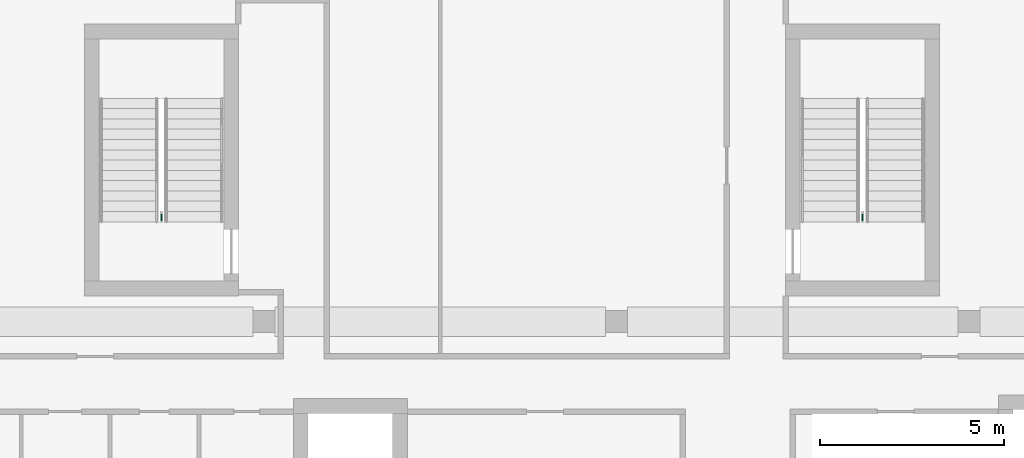
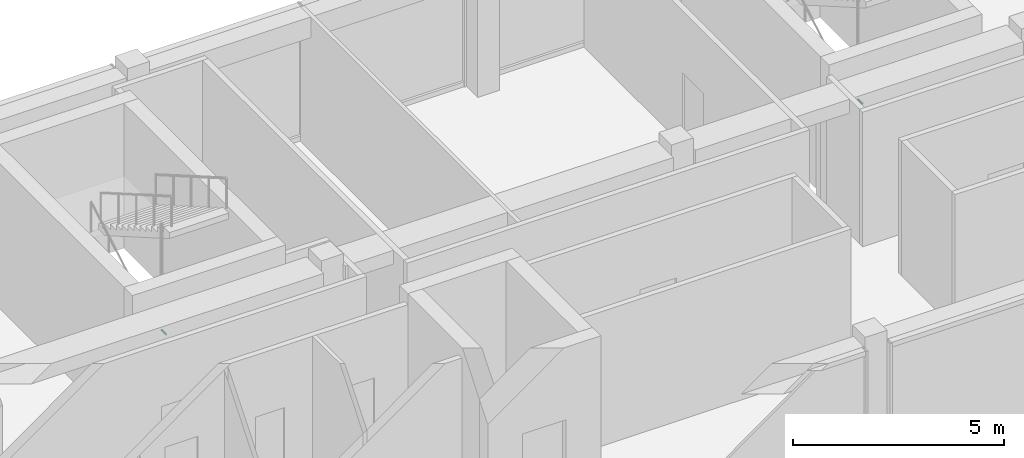
# One storey, part 28 of 28: 2 pipe fittings.
"""IFC4 building model written with IfcOpenShell, lengths in metres."""

from ifc_helpers import new_model, si_unit, direction, frame, origin, origin_2d, place, context, subcontext, project, spatial, circle, extrude, element, save


model = new_model("IFC4")

# Units and contexts
model_context = context("Model", 3, precision=1e-05, world=origin(), true_north=direction((0.0, 1.0)))
body_context = subcontext(model_context, "Body", "Model", "MODEL_VIEW")
ifc_project = project(units=[si_unit("LENGTHUNIT", "METRE"), si_unit("AREAUNIT", "SQUARE_METRE"), si_unit("VOLUMEUNIT", "CUBIC_METRE"), si_unit("PLANEANGLEUNIT", "RADIAN"), si_unit("MASSUNIT", "GRAM", prefix="KILO")], contexts=[model_context])

# Site, building, storey
site_placement = place(None, origin())
site = spatial("IfcSite", under=ifc_project, at=site_placement, CompositionType="ELEMENT")
building_placement = place(site_placement, origin())
building = spatial("IfcBuilding", under=site, at=building_placement, Name="Nzadi Deep Aquarium and Research Tower", CompositionType="ELEMENT")
storey_placement = place(building_placement, frame((0.0, 0.0, 73.89990234375)))
storey = spatial("IfcBuildingStorey", under=building, at=storey_placement, Name="L15", CompositionType="ELEMENT", Elevation=73.89990234375)

# Pipe fittings
for number, where, z_axis, x_axis, name in (
    (1, (6.800048828125, 39.77001953125, 1.10009765625), (0.0, -1.0, 0.0), (1.0, 0.0, 0.0), "Dry riser outlet ST-Z1-NW L15"),
    (2, (25.89990234375, 39.77001953125, 1.10009765625), (0.0, -1.0, 0.0), (1.0, 0.0, 0.0), "Dry riser outlet ST-Z1-NE L15"),
):
    element("IfcPipeFitting", number, at=place(storey_placement, frame(where, z_axis=z_axis, x_axis=x_axis)), inside=storey, Name=name, PredefinedType="EXIT", context=body_context, shape_type="SweptSolid", body=[
        extrude(circle(Radius=0.0224609375, at=origin_2d()), origin(), (0.0, 0.0, 1.0), 0.22998046875),
    ])

save(model, "model.ifc")
